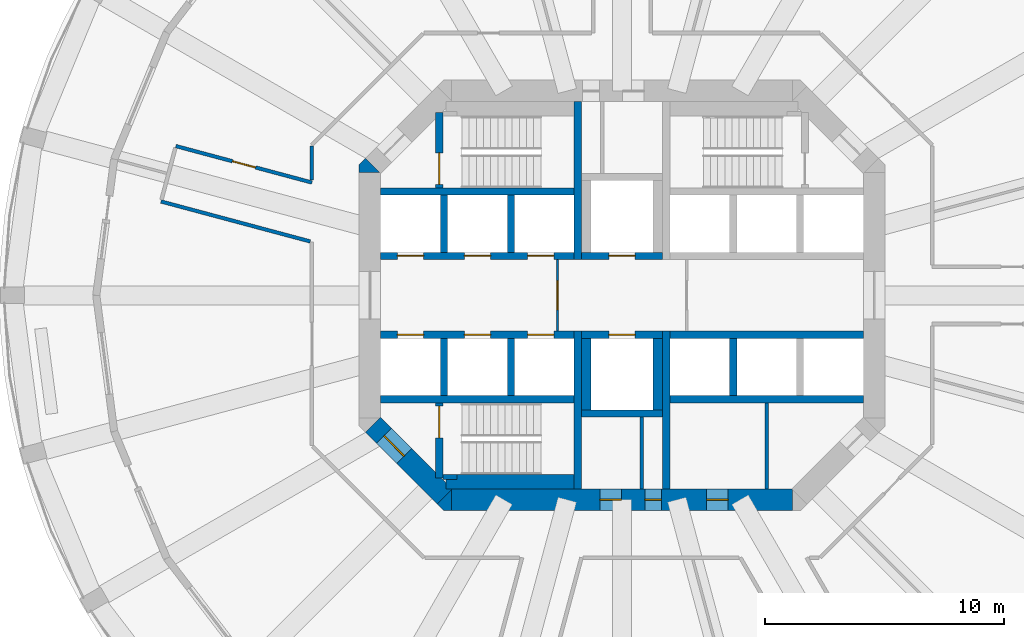
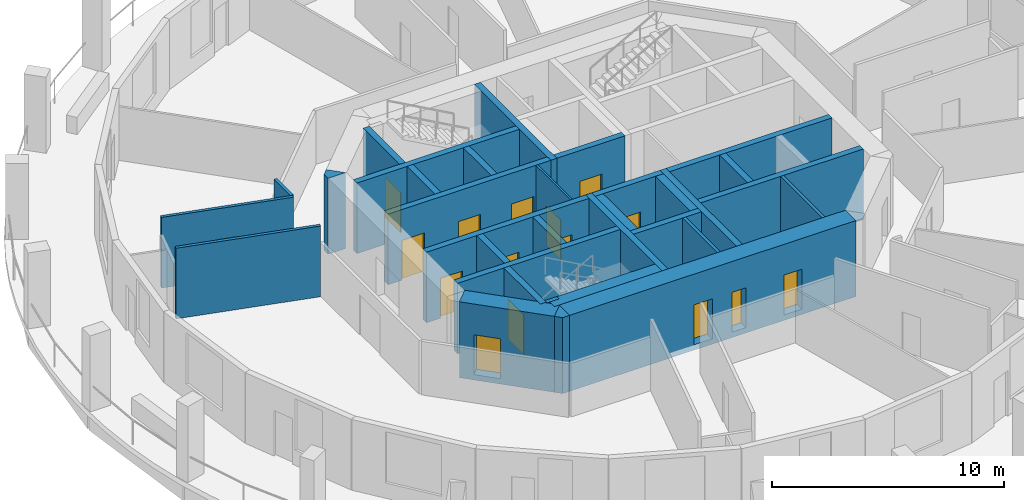
# One storey, part 3 of 8: 33 walls, 16 doors, 16 openings.
"""IFC4 building model written with IfcOpenShell, lengths in metres."""

from ifc_helpers import new_model, si_unit, direction, frame, frame_2d, origin, place, context, subcontext, project, spatial, polyline, rectangle, outline, extrude, material, layer, layer_set, type_object, element, fill, save


model = new_model("IFC4")

# Units and contexts
model_context = context("Model", 3, precision=1e-05, world=origin(), true_north=direction((0.0, 1.0)))
body_context = subcontext(model_context, "Body", "Model", "MODEL_VIEW")
ifc_project = project(units=[si_unit("LENGTHUNIT", "METRE"), si_unit("AREAUNIT", "SQUARE_METRE"), si_unit("VOLUMEUNIT", "CUBIC_METRE"), si_unit("PLANEANGLEUNIT", "RADIAN"), si_unit("MASSUNIT", "GRAM", prefix="KILO")], contexts=[model_context])

# Site, building, storey
site_placement = place(None, origin())
site = spatial("IfcSite", under=ifc_project, at=site_placement, CompositionType="ELEMENT")
building_placement = place(site_placement, origin())
building = spatial("IfcBuilding", under=site, at=building_placement, Name="Torre Triforio", CompositionType="ELEMENT")
storey_placement = place(building_placement, frame((0.0, 0.0, 86.60009765625)))
storey = spatial("IfcBuildingStorey", under=building, at=storey_placement, Name="L18", CompositionType="ELEMENT", Elevation=86.60009765625)

# Walls
ifc_material_1 = material(Name="Concrete C60", Category="concrete")
ifc_layer_1 = layer(ifc_material_1, 0.300048828125)
ifc_layer_set_1 = layer_set([ifc_layer_1], Name="Concrete C60")
wall_type_1 = type_object("IfcWallType", Name="Core wall 300 mm C60 EI 120", PredefinedType="SHEAR", material=ifc_layer_set_1)
for number, where, z_axis, x_axis, name in (
    (1, (-1.85009765625, 1.5, 0.0), (0.0, 0.0, 1.0), (0.0, 1.0, 0.0), "Core wall"),
    (2, (-1.85009765625, -8.10009765625, 0.0), (0.0, 0.0, 1.0), (0.0, 1.0, 0.0), "Core wall"),
    (3, (1.85009765625, -8.10009765625, 0.0), (0.0, 0.0, 1.0), (0.0, 1.0, 0.0), "Core wall"),
):
    element("IfcWall", number, at=place(storey_placement, frame(where, z_axis=z_axis, x_axis=x_axis)), inside=storey, type_object=wall_type_1, Name=name, PredefinedType="SHEAR", context=body_context, shape_type="SweptSolid", body=[
        extrude(rectangle(XDim=6.60009765625, YDim=0.300048828125, at=frame_2d((3.300048828125, 0.0))), origin(), (0.0, 0.0, 1.0), 3.719970703125),
    ])

# Wall, openings, doors
ifc_layer_2 = layer(ifc_material_1, 0.89990234375)
ifc_layer_set_2 = layer_set([ifc_layer_2], Name="Concrete C60")
wall_type_2 = type_object("IfcWallType", Name="Core wall 900 mm C60 EI 120", PredefinedType="SHEAR", material=ifc_layer_set_2)
wall_1_placement = place(storey_placement, frame((-7.1298828125, -8.550048828125, -0.280029296875), z_axis=(0.0, 0.0, 1.0), x_axis=(1.0, 0.0, 0.0)))
wall_1 = element("IfcWall", 4, at=wall_1_placement, inside=storey, type_object=wall_type_2, Name="Core wall", PredefinedType="SHEAR", context=body_context, shape_type="SweptSolid", body=[
    extrude(rectangle(XDim=14.259765625, YDim=0.89990234375, at=frame_2d((7.1298828125, 0.0))), origin(), (0.0, 0.0, 1.0), 4.0),
])
opening_1_placement = place(wall_1_placement, frame((8.080078125, 0.0, 0.280029296875)))
opening_1 = element("IfcOpeningElement", 5, at=opening_1_placement, cuts=wall_1, Name="Opening RISER-S", PredefinedType="OPENING", context=body_context, shape_type="SweptSolid", body=[
    extrude(rectangle(XDim=0.699951171875, YDim=2.10009765625, at=frame_2d((0.35009765625, 1.050048828125))), frame((0.0, 0.4599609375, 0.0), z_axis=(0.0, -1.0, 0.0), x_axis=(1.0, 0.0, 0.0)), (0.0, 0.0, 1.0), 0.919921875),
])
opening_2_placement = place(wall_1_placement, frame((6.205078125, 0.0, 0.280029296875)))
opening_2 = element("IfcOpeningElement", 6, at=opening_2_placement, cuts=wall_1, Name="Opening SW-01B", PredefinedType="OPENING", context=body_context, shape_type="SweptSolid", body=[
    extrude(rectangle(XDim=0.89990234375, YDim=2.10009765625, at=frame_2d((0.449951171875, 1.050048828125))), frame((0.0, 0.4599609375, 0.0), z_axis=(0.0, -1.0, 0.0), x_axis=(1.0, 0.0, 0.0)), (0.0, 0.0, 1.0), 0.919921875),
])
opening_3_placement = place(wall_1_placement, frame((10.66748046875, 0.0, 0.280029296875)))
opening_3 = element("IfcOpeningElement", 7, at=opening_3_placement, cuts=wall_1, Name="Opening SE-01A", PredefinedType="OPENING", context=body_context, shape_type="SweptSolid", body=[
    extrude(rectangle(XDim=0.89990234375, YDim=2.10009765625, at=frame_2d((0.449951171875, 1.050048828125))), frame((0.0, 0.4599609375, 0.0), z_axis=(0.0, -1.0, 0.0), x_axis=(1.0, 0.0, 0.0)), (0.0, 0.0, 1.0), 0.919921875),
])
ifc_material_2 = material(Name="Hollow metal fire door leaf")
door_type_1 = type_object("IfcDoorType", Name="Riser door 700 x 2100 EI 60", OperationType="NOTDEFINED", PredefinedType="DOOR", material=ifc_material_2)
door_1_placement = place(opening_1_placement, origin())
door_1 = element("IfcDoor", 8, at=door_1_placement, inside=storey, type_object=door_type_1, Name="Core door RISER-S", OperationType="SINGLE_SWING_RIGHT", OverallHeight=2.10009765625, OverallWidth=0.699951171875, PredefinedType="DOOR", context=body_context, shape_type="SweptSolid", body=[
    extrude(rectangle(XDim=0.699951171875, YDim=2.10009765625, at=frame_2d((0.35009765625, 1.050048828125))), frame((0.0, 0.02490234375, 0.0), z_axis=(0.0, -1.0, 0.0), x_axis=(1.0, 0.0, 0.0)), (0.0, 0.0, 1.0), 0.050048828125),
])
fill(opening_1, door_1)
door_type_2 = type_object("IfcDoorType", Name="Room door 900 x 2100 EI 60", OperationType="NOTDEFINED", PredefinedType="DOOR", material=ifc_material_2)
door_2_placement = place(opening_2_placement, origin())
door_2 = element("IfcDoor", 9, at=door_2_placement, inside=storey, type_object=door_type_2, Name="Core door SW-01", OperationType="SINGLE_SWING_LEFT", OverallHeight=2.10009765625, OverallWidth=0.89990234375, PredefinedType="DOOR", context=body_context, shape_type="SweptSolid", body=[
    extrude(rectangle(XDim=0.89990234375, YDim=2.10009765625, at=frame_2d((0.449951171875, 1.050048828125))), frame((0.0, 0.02490234375, 0.0), z_axis=(0.0, -1.0, 0.0), x_axis=(1.0, 0.0, 0.0)), (0.0, 0.0, 1.0), 0.050048828125),
])
fill(opening_2, door_2)
door_3_placement = place(opening_3_placement, origin())
door_3 = element("IfcDoor", 10, at=door_3_placement, inside=storey, type_object=door_type_2, Name="Core door SE-01", OperationType="SINGLE_SWING_LEFT", OverallHeight=2.10009765625, OverallWidth=0.89990234375, PredefinedType="DOOR", context=body_context, shape_type="SweptSolid", body=[
    extrude(rectangle(XDim=0.89990234375, YDim=2.10009765625, at=frame_2d((0.449951171875, 1.050048828125))), frame((0.0, 0.02490234375, 0.0), z_axis=(0.0, -1.0, 0.0), x_axis=(1.0, 0.0, 0.0)), (0.0, 0.0, 1.0), 0.050048828125),
])
fill(opening_3, door_3)

# Wall, opening, door
wall_2_placement = place(storey_placement, frame((-7.418212890625, -8.418212890625, -0.280029296875), z_axis=(0.0, 0.0, 1.0), x_axis=(-0.707106781187, 0.707106781187, 0.0)))
wall_2 = element("IfcWall", 11, at=wall_2_placement, inside=storey, type_object=wall_type_2, Name="Core wall", PredefinedType="SHEAR", context=body_context, shape_type="SweptSolid", body=[
    extrude(rectangle(XDim=4.24267578125, YDim=0.89990234375, at=frame_2d((2.121337890625, 0.0))), origin(), (0.0, 0.0, 1.0), 4.0),
])
opening_4_placement = place(wall_2_placement, frame((2.392578125, 0.0, 0.280029296875)))
opening_4 = element("IfcOpeningElement", 12, at=opening_4_placement, cuts=wall_2, Name="Opening ST3-EXIT", PredefinedType="OPENING", context=body_context, shape_type="SweptSolid", body=[
    extrude(rectangle(XDim=1.199951171875, YDim=2.10009765625, at=frame_2d((0.60009765625, 1.050048828125))), frame((0.0, 0.4599609375, 0.0), z_axis=(0.0, -1.0, 0.0), x_axis=(1.0, 0.0, 0.0)), (0.0, 0.0, 1.0), 0.919921875),
])
door_type_3 = type_object("IfcDoorType", Name="Stair lobby door 1200 x 2100 EI 60", OperationType="NOTDEFINED", PredefinedType="DOOR", material=ifc_material_2)
door_4_placement = place(opening_4_placement, origin())
door_4 = element("IfcDoor", 13, at=door_4_placement, inside=storey, type_object=door_type_3, Name="Core door ST3-EXIT", OperationType="SINGLE_SWING_RIGHT", OverallHeight=2.10009765625, OverallWidth=1.199951171875, PredefinedType="DOOR", context=body_context, shape_type="SweptSolid", body=[
    extrude(rectangle(XDim=1.199951171875, YDim=2.10009765625, at=frame_2d((0.60009765625, 1.050048828125))), frame((0.0, 0.02490234375, 0.0), z_axis=(0.0, -1.0, 0.0), x_axis=(1.0, 0.0, 0.0)), (0.0, 0.0, 1.0), 0.050048828125),
])
fill(opening_4, door_4)

# Walls
wall_3_placement = place(storey_placement, frame((0.0, 0.0, -0.280029296875)))
element("IfcWall", 14, at=wall_3_placement, inside=storey, type_object=wall_type_2, Name="Core wall", PredefinedType="SHEAR", context=body_context, shape_type="SweptSolid", body=[
    extrude(outline(polyline([(-7.472900390625, -9.0), (-7.736328125, -8.736328125), (-7.1298828125, -8.1298828125), (-7.1298828125, -9.0), (-7.472900390625, -9.0)])), origin(), (0.0, 0.0, 1.0), 4.0),
])
wall_4_placement = place(storey_placement, frame((0.0, 0.0, -0.280029296875)))
element("IfcWall", 15, at=wall_4_placement, inside=storey, type_object=wall_type_2, Name="Core wall", PredefinedType="SHEAR", context=body_context, shape_type="SweptSolid", body=[
    extrude(outline(polyline([(-10.736328125, 5.736328125), (-10.1298828125, 5.1298828125), (-11.0, 5.1298828125), (-11.0, 5.472900390625), (-10.736328125, 5.736328125)])), origin(), (0.0, 0.0, 1.0), 4.0),
])
ifc_material_3 = material(Name="Plasterboard on metal studs")
ifc_layer_3 = layer(ifc_material_3, 0.14990234375)
ifc_layer_set_3 = layer_set([ifc_layer_3], Name="Plasterboard on metal studs")
wall_type_3 = type_object("IfcWallType", Name="Corridor and tenancy wall 150 mm EI 60", PredefinedType="PARTITIONING", material=ifc_layer_set_3)
wall_5_placement = place(storey_placement, frame((-13.044921875, 2.253173828125, 0.0), z_axis=(0.0, 0.0, 1.0), x_axis=(-0.965934061797, 0.258788307811, 0.0)))
element("IfcWall", 16, at=wall_5_placement, inside=storey, type_object=wall_type_3, Name="Partition 15", PredefinedType="PARTITIONING", context=body_context, shape_type="SweptSolid", body=[
    extrude(rectangle(XDim=6.465087890625, YDim=0.14990234375, at=frame_2d((3.232421875, 0.0))), origin(), (0.0, 0.0, 1.0), 3.719970703125),
])

# Wall, opening, door
wall_6_placement = place(storey_placement, frame((-18.668701171875, 6.24462890625, 0.0), z_axis=(0.0, 0.0, 1.0), x_axis=(0.965924201797, -0.258825107715, 0.0)))
wall_6 = element("IfcWall", 17, at=wall_6_placement, inside=storey, type_object=wall_type_3, Name="Partition 17", PredefinedType="PARTITIONING", context=body_context, shape_type="SweptSolid", body=[
    extrude(rectangle(XDim=5.89453125, YDim=0.14990234375, at=frame_2d((2.947265625, 0.0))), origin(), (0.0, 0.0, 1.0), 3.719970703125),
])
opening_5_placement = place(wall_6_placement, frame((2.447265625, 0.0, 0.0)))
opening_5 = element("IfcOpeningElement", 18, at=opening_5_placement, cuts=wall_6, Name="Opening N6-05", PredefinedType="OPENING", context=body_context, shape_type="SweptSolid", body=[
    extrude(rectangle(XDim=1.0, YDim=2.10009765625, at=frame_2d((0.5, 1.050048828125))), frame((0.0, 0.0849609375, 0.0), z_axis=(0.0, -1.0, 0.0), x_axis=(1.0, 0.0, 0.0)), (0.0, 0.0, 1.0), 0.169921875),
])
ifc_material_4 = material(Name="Timber", Category="wood")
door_type_4 = type_object("IfcDoorType", Name="Door 1000 x 2100 single leaf EI 30", OperationType="NOTDEFINED", PredefinedType="DOOR", material=ifc_material_4)
door_5_placement = place(opening_5_placement, origin())
door_5 = element("IfcDoor", 19, at=door_5_placement, inside=storey, type_object=door_type_4, Name="Door N6-05", OperationType="SINGLE_SWING_RIGHT", OverallHeight=2.10009765625, OverallWidth=1.0, PredefinedType="DOOR", context=body_context, shape_type="SweptSolid", body=[
    extrude(rectangle(XDim=1.0, YDim=2.10009765625, at=frame_2d((0.5, 1.050048828125))), frame((0.0, 0.02490234375, 0.0), z_axis=(0.0, -1.0, 0.0), x_axis=(1.0, 0.0, 0.0)), (0.0, 0.0, 1.0), 0.050048828125),
])
fill(opening_5, door_5)

# Wall
wall_7_placement = place(storey_placement, frame((-12.97509765625, 4.81640625, 0.0), z_axis=(0.0, 0.0, 1.0), x_axis=(0.0, 1.0, 0.0)))
element("IfcWall", 20, at=wall_7_placement, inside=storey, type_object=wall_type_3, Name="Partition 18", PredefinedType="PARTITIONING", context=body_context, shape_type="SweptSolid", body=[
    extrude(rectangle(XDim=1.421875, YDim=0.14990234375, at=frame_2d((0.7109375, 0.0))), origin(), (0.0, 0.0, 1.0), 3.719970703125),
])

# Wall, opening, door
ifc_material_5 = material(Name="Block and board partition")
ifc_layer_4 = layer(ifc_material_5, 0.10009765625)
ifc_layer_set_4 = layer_set([ifc_layer_4], Name="Block and board partition")
wall_type_4 = type_object("IfcWallType", Name="Partition 100 mm EI 120", PredefinedType="PARTITIONING", material=ifc_layer_set_4)
wall_8_placement = place(storey_placement, frame((-2.699951171875, -1.5, 0.0), z_axis=(0.0, 0.0, 1.0), x_axis=(0.0, 1.0, 0.0)))
wall_8 = element("IfcWall", 21, at=wall_8_placement, inside=storey, type_object=wall_type_4, Name="Partition", PredefinedType="PARTITIONING", context=body_context, shape_type="SweptSolid", body=[
    extrude(rectangle(XDim=3.0, YDim=0.10009765625, at=frame_2d((1.5, 0.0))), origin(), (0.0, 0.0, 1.0), 3.719970703125),
])
opening_6_placement = place(wall_8_placement, frame((0.89990234375, 0.0, 0.0)))
opening_6 = element("IfcOpeningElement", 22, at=opening_6_placement, cuts=wall_8, Name="Opening FF-W", PredefinedType="OPENING", context=body_context, shape_type="SweptSolid", body=[
    extrude(rectangle(XDim=1.199951171875, YDim=2.10009765625, at=frame_2d((0.60009765625, 1.050048828125))), frame((0.0, 0.06005859375, 0.0), z_axis=(0.0, -1.0, 0.0), x_axis=(1.0, 0.0, 0.0)), (0.0, 0.0, 1.0), 0.1201171875),
])
door_type_5 = type_object("IfcDoorType", Name="Fire-fighting lobby door 1200 x 2100 EI 60", OperationType="NOTDEFINED", PredefinedType="DOOR", material=ifc_material_2)
door_6_placement = place(opening_6_placement, origin())
door_6 = element("IfcDoor", 23, at=door_6_placement, inside=storey, type_object=door_type_5, Name="Core door FF-W", OperationType="SINGLE_SWING_LEFT", OverallHeight=2.10009765625, OverallWidth=1.199951171875, PredefinedType="DOOR", context=body_context, shape_type="SweptSolid", body=[
    extrude(rectangle(XDim=1.199951171875, YDim=2.10009765625, at=frame_2d((0.60009765625, 1.050048828125))), frame((0.0, 0.02490234375, 0.0), z_axis=(0.0, -1.0, 0.0), x_axis=(1.0, 0.0, 0.0)), (0.0, 0.0, 1.0), 0.050048828125),
])
fill(opening_6, door_6)

# Walls
ifc_layer_5 = layer(ifc_material_5, 0.14990234375)
ifc_layer_set_5 = layer_set([ifc_layer_5], Name="Block and board partition")
wall_type_5 = type_object("IfcWallType", Name="Partition 150 mm", PredefinedType="PARTITIONING", material=ifc_layer_set_5)
wall_9_placement = place(storey_placement, frame((6.050048828125, -8.10009765625, 0.0), z_axis=(0.0, 0.0, 1.0), x_axis=(0.0, 1.0, 0.0)))
element("IfcWall", 24, at=wall_9_placement, inside=storey, type_object=wall_type_5, Name="Partition", PredefinedType="PARTITIONING", context=body_context, shape_type="SweptSolid", body=[
    extrude(rectangle(XDim=3.60009765625, YDim=0.14990234375, at=frame_2d((1.800048828125, 0.0))), origin(), (0.0, 0.0, 1.0), 3.719970703125),
])
ifc_layer_6 = layer(ifc_material_5, 0.14990234375)
ifc_layer_set_6 = layer_set([ifc_layer_6], Name="Block and board partition")
wall_type_6 = type_object("IfcWallType", Name="Partition 150 mm EI 120", PredefinedType="PARTITIONING", material=ifc_layer_set_6)
wall_10_placement = place(storey_placement, frame((0.824951171875, -8.10009765625, 0.0), z_axis=(0.0, 0.0, 1.0), x_axis=(0.0, 1.0, 0.0)))
element("IfcWall", 25, at=wall_10_placement, inside=storey, type_object=wall_type_6, Name="Partition", PredefinedType="PARTITIONING", context=body_context, shape_type="SweptSolid", body=[
    extrude(rectangle(XDim=3.0, YDim=0.14990234375, at=frame_2d((1.5, 0.0))), origin(), (0.0, 0.0, 1.0), 3.719970703125),
])
ifc_layer_7 = layer(ifc_material_1, 0.300048828125)
ifc_layer_set_7 = layer_set([ifc_layer_7], Name="Concrete C60")
wall_type_7 = type_object("IfcWallType", Name="Shaft wall 300 mm C60 EI 120", PredefinedType="SOLIDWALL", material=ifc_layer_set_7)
for number, where, z_axis, x_axis, name in (
    (26, (-10.10009765625, 4.35009765625, 0.0), (0.0, 0.0, 1.0), (1.0, 0.0, 0.0), "Shaft wall"),
    (27, (-10.10009765625, -4.35009765625, 0.0), (0.0, 0.0, 1.0), (1.0, 0.0, 0.0), "Shaft wall"),
    (28, (2.0, -4.35009765625, 0.0), (0.0, 0.0, 1.0), (1.0, 0.0, 0.0), "Shaft wall"),
):
    element("IfcWall", number, at=place(storey_placement, frame(where, z_axis=z_axis, x_axis=x_axis)), inside=storey, type_object=wall_type_7, Name=name, PredefinedType="SOLIDWALL", context=body_context, shape_type="SweptSolid", body=[
        extrude(rectangle(XDim=8.10009765625, YDim=0.300048828125, at=frame_2d((4.050048828125, 0.0))), origin(), (0.0, 0.0, 1.0), 3.719970703125),
    ])

# Wall, openings, doors
wall_11_placement = place(storey_placement, frame((-10.10009765625, 1.64990234375, 0.0), z_axis=(0.0, 0.0, 1.0), x_axis=(1.0, 0.0, 0.0)))
wall_11 = element("IfcWall", 29, at=wall_11_placement, inside=storey, type_object=wall_type_7, Name="Shaft wall", PredefinedType="SOLIDWALL", context=body_context, shape_type="SweptSolid", body=[
    extrude(rectangle(XDim=8.10009765625, YDim=0.300048828125, at=frame_2d((4.050048828125, 0.0))), origin(), (0.0, 0.0, 1.0), 3.719970703125),
])
opening_7_placement = place(wall_11_placement, frame((0.699951171875, 0.0, 0.0)))
opening_7 = element("IfcOpeningElement", 30, at=opening_7_placement, cuts=wall_11, Name="Opening LD", PredefinedType="OPENING", context=body_context, shape_type="SweptSolid", body=[
    extrude(rectangle(XDim=1.10009765625, YDim=2.10009765625, at=frame_2d((0.550048828125, 1.050048828125))), frame((0.0, 0.159912109375, 0.0), z_axis=(0.0, -1.0, 0.0), x_axis=(1.0, 0.0, 0.0)), (0.0, 0.0, 1.0), 0.320068359375),
])
opening_8_placement = place(wall_11_placement, frame((3.5, 0.0, 0.0)))
opening_8 = element("IfcOpeningElement", 31, at=opening_8_placement, cuts=wall_11, Name="Opening LD", PredefinedType="OPENING", context=body_context, shape_type="SweptSolid", body=[
    extrude(rectangle(XDim=1.10009765625, YDim=2.10009765625, at=frame_2d((0.550048828125, 1.050048828125))), frame((0.0, 0.159912109375, 0.0), z_axis=(0.0, -1.0, 0.0), x_axis=(1.0, 0.0, 0.0)), (0.0, 0.0, 1.0), 0.320068359375),
])
opening_9_placement = place(wall_11_placement, frame((6.14990234375, 0.0, 0.0)))
opening_9 = element("IfcOpeningElement", 32, at=opening_9_placement, cuts=wall_11, Name="Opening LD", PredefinedType="OPENING", context=body_context, shape_type="SweptSolid", body=[
    extrude(rectangle(XDim=1.10009765625, YDim=2.10009765625, at=frame_2d((0.550048828125, 1.050048828125))), frame((0.0, 0.159912109375, 0.0), z_axis=(0.0, -1.0, 0.0), x_axis=(1.0, 0.0, 0.0)), (0.0, 0.0, 1.0), 0.320068359375),
])
door_type_6 = type_object("IfcDoorType", Name="Landing door 1100 x 2100 EI 60", OperationType="DOUBLE_DOOR_SLIDING", PredefinedType="DOOR", material=ifc_material_2)
door_7_placement = place(opening_7_placement, origin())
door_7 = element("IfcDoor", 33, at=door_7_placement, inside=storey, type_object=door_type_6, Name="Landing door LR1", OperationType="DOUBLE_DOOR_SLIDING", OverallHeight=2.10009765625, OverallWidth=1.10009765625, PredefinedType="DOOR", context=body_context, shape_type="SweptSolid", body=[
    extrude(rectangle(XDim=1.10009765625, YDim=2.10009765625, at=frame_2d((0.550048828125, 1.050048828125))), frame((0.0, 0.02490234375, 0.0), z_axis=(0.0, -1.0, 0.0), x_axis=(1.0, 0.0, 0.0)), (0.0, 0.0, 1.0), 0.050048828125),
])
fill(opening_7, door_7)
door_8_placement = place(opening_8_placement, origin())
door_8 = element("IfcDoor", 34, at=door_8_placement, inside=storey, type_object=door_type_6, Name="Landing door LR2", OperationType="DOUBLE_DOOR_SLIDING", OverallHeight=2.10009765625, OverallWidth=1.10009765625, PredefinedType="DOOR", context=body_context, shape_type="SweptSolid", body=[
    extrude(rectangle(XDim=1.10009765625, YDim=2.10009765625, at=frame_2d((0.550048828125, 1.050048828125))), frame((0.0, 0.02490234375, 0.0), z_axis=(0.0, -1.0, 0.0), x_axis=(1.0, 0.0, 0.0)), (0.0, 0.0, 1.0), 0.050048828125),
])
fill(opening_8, door_8)
door_9_placement = place(opening_9_placement, origin())
door_9 = element("IfcDoor", 35, at=door_9_placement, inside=storey, type_object=door_type_6, Name="Landing door LR3", OperationType="DOUBLE_DOOR_SLIDING", OverallHeight=2.10009765625, OverallWidth=1.10009765625, PredefinedType="DOOR", context=body_context, shape_type="SweptSolid", body=[
    extrude(rectangle(XDim=1.10009765625, YDim=2.10009765625, at=frame_2d((0.550048828125, 1.050048828125))), frame((0.0, 0.02490234375, 0.0), z_axis=(0.0, -1.0, 0.0), x_axis=(1.0, 0.0, 0.0)), (0.0, 0.0, 1.0), 0.050048828125),
])
fill(opening_9, door_9)

wall_12_placement = place(storey_placement, frame((-10.10009765625, -1.64990234375, 0.0), z_axis=(0.0, 0.0, 1.0), x_axis=(1.0, 0.0, 0.0)))
wall_12 = element("IfcWall", 36, at=wall_12_placement, inside=storey, type_object=wall_type_7, Name="Shaft wall", PredefinedType="SOLIDWALL", context=body_context, shape_type="SweptSolid", body=[
    extrude(rectangle(XDim=8.10009765625, YDim=0.300048828125, at=frame_2d((4.050048828125, 0.0))), origin(), (0.0, 0.0, 1.0), 3.719970703125),
])
opening_10_placement = place(wall_12_placement, frame((0.699951171875, 0.0, 0.0)))
opening_10 = element("IfcOpeningElement", 37, at=opening_10_placement, cuts=wall_12, Name="Opening LD", PredefinedType="OPENING", context=body_context, shape_type="SweptSolid", body=[
    extrude(rectangle(XDim=1.10009765625, YDim=2.10009765625, at=frame_2d((0.550048828125, 1.050048828125))), frame((0.0, 0.159912109375, 0.0), z_axis=(0.0, -1.0, 0.0), x_axis=(1.0, 0.0, 0.0)), (0.0, 0.0, 1.0), 0.320068359375),
])
opening_11_placement = place(wall_12_placement, frame((3.5, 0.0, 0.0)))
opening_11 = element("IfcOpeningElement", 38, at=opening_11_placement, cuts=wall_12, Name="Opening LD", PredefinedType="OPENING", context=body_context, shape_type="SweptSolid", body=[
    extrude(rectangle(XDim=1.10009765625, YDim=2.10009765625, at=frame_2d((0.550048828125, 1.050048828125))), frame((0.0, 0.159912109375, 0.0), z_axis=(0.0, -1.0, 0.0), x_axis=(1.0, 0.0, 0.0)), (0.0, 0.0, 1.0), 0.320068359375),
])
opening_12_placement = place(wall_12_placement, frame((6.14990234375, 0.0, 0.0)))
opening_12 = element("IfcOpeningElement", 39, at=opening_12_placement, cuts=wall_12, Name="Opening LD", PredefinedType="OPENING", context=body_context, shape_type="SweptSolid", body=[
    extrude(rectangle(XDim=1.10009765625, YDim=2.10009765625, at=frame_2d((0.550048828125, 1.050048828125))), frame((0.0, 0.159912109375, 0.0), z_axis=(0.0, -1.0, 0.0), x_axis=(1.0, 0.0, 0.0)), (0.0, 0.0, 1.0), 0.320068359375),
])
door_10_placement = place(opening_10_placement, origin())
door_10 = element("IfcDoor", 40, at=door_10_placement, inside=storey, type_object=door_type_6, Name="Landing door LR4", OperationType="DOUBLE_DOOR_SLIDING", OverallHeight=2.10009765625, OverallWidth=1.10009765625, PredefinedType="DOOR", context=body_context, shape_type="SweptSolid", body=[
    extrude(rectangle(XDim=1.10009765625, YDim=2.10009765625, at=frame_2d((0.550048828125, 1.050048828125))), frame((0.0, 0.02490234375, 0.0), z_axis=(0.0, -1.0, 0.0), x_axis=(1.0, 0.0, 0.0)), (0.0, 0.0, 1.0), 0.050048828125),
])
fill(opening_10, door_10)
door_11_placement = place(opening_11_placement, origin())
door_11 = element("IfcDoor", 41, at=door_11_placement, inside=storey, type_object=door_type_6, Name="Landing door LR5", OperationType="DOUBLE_DOOR_SLIDING", OverallHeight=2.10009765625, OverallWidth=1.10009765625, PredefinedType="DOOR", context=body_context, shape_type="SweptSolid", body=[
    extrude(rectangle(XDim=1.10009765625, YDim=2.10009765625, at=frame_2d((0.550048828125, 1.050048828125))), frame((0.0, 0.02490234375, 0.0), z_axis=(0.0, -1.0, 0.0), x_axis=(1.0, 0.0, 0.0)), (0.0, 0.0, 1.0), 0.050048828125),
])
fill(opening_11, door_11)
door_12_placement = place(opening_12_placement, origin())
door_12 = element("IfcDoor", 42, at=door_12_placement, inside=storey, type_object=door_type_6, Name="Landing door LR6", OperationType="DOUBLE_DOOR_SLIDING", OverallHeight=2.10009765625, OverallWidth=1.10009765625, PredefinedType="DOOR", context=body_context, shape_type="SweptSolid", body=[
    extrude(rectangle(XDim=1.10009765625, YDim=2.10009765625, at=frame_2d((0.550048828125, 1.050048828125))), frame((0.0, 0.02490234375, 0.0), z_axis=(0.0, -1.0, 0.0), x_axis=(1.0, 0.0, 0.0)), (0.0, 0.0, 1.0), 0.050048828125),
])
fill(opening_12, door_12)

# Walls
wall_13_placement = place(storey_placement, frame((2.0, -1.64990234375, 0.0), z_axis=(0.0, 0.0, 1.0), x_axis=(1.0, 0.0, 0.0)))
element("IfcWall", 43, at=wall_13_placement, inside=storey, type_object=wall_type_7, Name="Shaft wall", PredefinedType="SOLIDWALL", context=body_context, shape_type="SweptSolid", body=[
    extrude(rectangle(XDim=8.10009765625, YDim=0.300048828125, at=frame_2d((4.050048828125, 0.0))), origin(), (0.0, 0.0, 1.0), 3.719970703125),
])
for number, where, z_axis, x_axis, name in (
    (44, (-7.449951171875, 1.800048828125, 0.0), (0.0, 0.0, 1.0), (0.0, 1.0, 0.0), "Shaft wall"),
    (45, (-7.449951171875, -4.199951171875, 0.0), (0.0, 0.0, 1.0), (0.0, 1.0, 0.0), "Shaft wall"),
    (46, (-4.64990234375, 1.800048828125, 0.0), (0.0, 0.0, 1.0), (0.0, 1.0, 0.0), "Shaft wall"),
    (47, (-4.64990234375, -4.199951171875, 0.0), (0.0, 0.0, 1.0), (0.0, 1.0, 0.0), "Shaft wall"),
    (48, (4.64990234375, -4.199951171875, 0.0), (0.0, 0.0, 1.0), (0.0, 1.0, 0.0), "Shaft wall"),
):
    element("IfcWall", number, at=place(storey_placement, frame(where, z_axis=z_axis, x_axis=x_axis)), inside=storey, type_object=wall_type_7, Name=name, PredefinedType="SOLIDWALL", context=body_context, shape_type="SweptSolid", body=[
        extrude(rectangle(XDim=2.39990234375, YDim=0.300048828125, at=frame_2d((1.199951171875, 0.0))), origin(), (0.0, 0.0, 1.0), 3.719970703125),
    ])

# Wall, opening, door
wall_14_placement = place(storey_placement, frame((-1.699951171875, 1.64990234375, 0.0), z_axis=(0.0, 0.0, 1.0), x_axis=(1.0, 0.0, 0.0)))
wall_14 = element("IfcWall", 49, at=wall_14_placement, inside=storey, type_object=wall_type_7, Name="Shaft wall", PredefinedType="SOLIDWALL", context=body_context, shape_type="SweptSolid", body=[
    extrude(rectangle(XDim=3.39990234375, YDim=0.300048828125, at=frame_2d((1.699951171875, 0.0))), origin(), (0.0, 0.0, 1.0), 3.719970703125),
])
opening_13_placement = place(wall_14_placement, frame((1.14990234375, 0.0, 0.0)))
opening_13 = element("IfcOpeningElement", 50, at=opening_13_placement, cuts=wall_14, Name="Opening LD", PredefinedType="OPENING", context=body_context, shape_type="SweptSolid", body=[
    extrude(rectangle(XDim=1.10009765625, YDim=2.10009765625, at=frame_2d((0.550048828125, 1.050048828125))), frame((0.0, 0.159912109375, 0.0), z_axis=(0.0, -1.0, 0.0), x_axis=(1.0, 0.0, 0.0)), (0.0, 0.0, 1.0), 0.320068359375),
])
door_13_placement = place(opening_13_placement, origin())
door_13 = element("IfcDoor", 51, at=door_13_placement, inside=storey, type_object=door_type_6, Name="Landing door FFL1", OperationType="DOUBLE_DOOR_SLIDING", OverallHeight=2.10009765625, OverallWidth=1.10009765625, PredefinedType="DOOR", context=body_context, shape_type="SweptSolid", body=[
    extrude(rectangle(XDim=1.10009765625, YDim=2.10009765625, at=frame_2d((0.550048828125, 1.050048828125))), frame((0.0, 0.02490234375, 0.0), z_axis=(0.0, -1.0, 0.0), x_axis=(1.0, 0.0, 0.0)), (0.0, 0.0, 1.0), 0.050048828125),
])
fill(opening_13, door_13)

wall_15_placement = place(storey_placement, frame((-1.699951171875, -1.64990234375, 0.0), z_axis=(0.0, 0.0, 1.0), x_axis=(1.0, 0.0, 0.0)))
wall_15 = element("IfcWall", 52, at=wall_15_placement, inside=storey, type_object=wall_type_7, Name="Shaft wall", PredefinedType="SOLIDWALL", context=body_context, shape_type="SweptSolid", body=[
    extrude(rectangle(XDim=3.39990234375, YDim=0.300048828125, at=frame_2d((1.699951171875, 0.0))), origin(), (0.0, 0.0, 1.0), 3.719970703125),
])
opening_14_placement = place(wall_15_placement, frame((1.14990234375, 0.0, 0.0)))
opening_14 = element("IfcOpeningElement", 53, at=opening_14_placement, cuts=wall_15, Name="Opening LD", PredefinedType="OPENING", context=body_context, shape_type="SweptSolid", body=[
    extrude(rectangle(XDim=1.10009765625, YDim=2.10009765625, at=frame_2d((0.550048828125, 1.050048828125))), frame((0.0, 0.159912109375, 0.0), z_axis=(0.0, -1.0, 0.0), x_axis=(1.0, 0.0, 0.0)), (0.0, 0.0, 1.0), 0.320068359375),
])
door_14_placement = place(opening_14_placement, origin())
door_14 = element("IfcDoor", 54, at=door_14_placement, inside=storey, type_object=door_type_6, Name="Landing door FFL2", OperationType="DOUBLE_DOOR_SLIDING", OverallHeight=2.10009765625, OverallWidth=1.10009765625, PredefinedType="DOOR", context=body_context, shape_type="SweptSolid", body=[
    extrude(rectangle(XDim=1.10009765625, YDim=2.10009765625, at=frame_2d((0.550048828125, 1.050048828125))), frame((0.0, 0.02490234375, 0.0), z_axis=(0.0, -1.0, 0.0), x_axis=(1.0, 0.0, 0.0)), (0.0, 0.0, 1.0), 0.050048828125),
])
fill(opening_14, door_14)

# Walls
wall_16_placement = place(storey_placement, frame((-1.699951171875, -4.949951171875, 0.0), z_axis=(0.0, 0.0, 1.0), x_axis=(1.0, 0.0, 0.0)))
element("IfcWall", 55, at=wall_16_placement, inside=storey, type_object=wall_type_7, Name="Shaft wall", PredefinedType="SOLIDWALL", context=body_context, shape_type="SweptSolid", body=[
    extrude(rectangle(XDim=3.39990234375, YDim=0.300048828125, at=frame_2d((1.699951171875, 0.0))), origin(), (0.0, 0.0, 1.0), 3.719970703125),
])
ifc_layer_8 = layer(ifc_material_1, 0.39990234375)
ifc_layer_set_8 = layer_set([ifc_layer_8], Name="Concrete C60")
wall_type_8 = type_object("IfcWallType", Name="Shaft wall 400 mm C60 EI 120", PredefinedType="SOLIDWALL", material=ifc_layer_set_8)
for number, where, z_axis, x_axis, name in (
    (56, (-1.5, -4.800048828125, 0.0), (0.0, 0.0, 1.0), (0.0, 1.0, 0.0), "Shaft wall"),
    (57, (1.5, -4.800048828125, 0.0), (0.0, 0.0, 1.0), (0.0, 1.0, 0.0), "Shaft wall"),
):
    element("IfcWall", number, at=place(storey_placement, frame(where, z_axis=z_axis, x_axis=x_axis)), inside=storey, type_object=wall_type_8, Name=name, PredefinedType="SOLIDWALL", context=body_context, shape_type="SweptSolid", body=[
        extrude(rectangle(XDim=3.0, YDim=0.39990234375, at=frame_2d((1.5, 0.0))), origin(), (0.0, 0.0, 1.0), 3.719970703125),
    ])
ifc_layer_9 = layer(ifc_material_1, 0.199951171875)
ifc_layer_set_9 = layer_set([ifc_layer_9], Name="Concrete C60")
wall_type_9 = type_object("IfcWallType", Name="Stair wall 200 mm C60 EI 120", PredefinedType="SHEAR", material=ifc_layer_set_9)
wall_17_placement = place(storey_placement, frame((-7.5, -7.60009765625, 0.0), z_axis=(0.0, 0.0, 1.0), x_axis=(1.0, 0.0, 0.0)))
element("IfcWall", 58, at=wall_17_placement, inside=storey, type_object=wall_type_9, Name="Stair wall", PredefinedType="SHEAR", context=body_context, shape_type="SweptSolid", body=[
    extrude(rectangle(XDim=0.60009765625, YDim=0.199951171875, at=frame_2d((0.300048828125, 0.0))), origin(), (0.0, 0.0, 1.0), 3.719970703125),
])

# Wall, opening, door
ifc_layer_10 = layer(ifc_material_1, 0.300048828125)
ifc_layer_set_10 = layer_set([ifc_layer_10], Name="Concrete C60")
wall_type_10 = type_object("IfcWallType", Name="Stair wall 300 mm C60 EI 120", PredefinedType="SHEAR", material=ifc_layer_set_10)
wall_18_placement = place(storey_placement, frame((-7.64990234375, 4.5, 0.0), z_axis=(0.0, 0.0, 1.0), x_axis=(0.0, 1.0, 0.0)))
wall_18 = element("IfcWall", 59, at=wall_18_placement, inside=storey, type_object=wall_type_10, Name="Stair wall", PredefinedType="SHEAR", context=body_context, shape_type="SweptSolid", body=[
    extrude(rectangle(XDim=3.139892578125, YDim=0.300048828125, at=frame_2d((1.56982421875, 0.0))), origin(), (0.0, 0.0, 1.0), 3.719970703125),
])
opening_15_placement = place(wall_18_placement, frame((0.139892578125, 0.0, 0.0)))
opening_15 = element("IfcOpeningElement", 60, at=opening_15_placement, cuts=wall_18, Name="Opening ST1-STA", PredefinedType="OPENING", context=body_context, shape_type="SweptSolid", body=[
    extrude(rectangle(XDim=1.320068359375, YDim=2.10009765625, at=frame_2d((0.66015625, 1.050048828125))), frame((0.0, 0.159912109375, 0.0), z_axis=(0.0, -1.0, 0.0), x_axis=(1.0, 0.0, 0.0)), (0.0, 0.0, 1.0), 0.320068359375),
])
door_type_7 = type_object("IfcDoorType", Name="Stair door 1320 x 2100 EI 90", OperationType="DOUBLE_DOOR_SINGLE_SWING", PredefinedType="DOOR", material=ifc_material_2)
door_15_placement = place(opening_15_placement, origin())
door_15 = element("IfcDoor", 61, at=door_15_placement, inside=storey, type_object=door_type_7, Name="Core door ST1-ST", OperationType="DOUBLE_DOOR_SINGLE_SWING", OverallHeight=2.10009765625, OverallWidth=1.320068359375, PredefinedType="DOOR", context=body_context, shape_type="SweptSolid", body=[
    extrude(rectangle(XDim=1.320068359375, YDim=2.10009765625, at=frame_2d((0.66015625, 1.050048828125))), frame((0.0, 0.02490234375, 0.0), z_axis=(0.0, -1.0, 0.0), x_axis=(1.0, 0.0, 0.0)), (0.0, 0.0, 1.0), 0.050048828125),
])
fill(opening_15, door_15)

wall_19_placement = place(storey_placement, frame((-7.64990234375, -7.639892578125, 0.0), z_axis=(0.0, 0.0, 1.0), x_axis=(0.0, 1.0, 0.0)))
wall_19 = element("IfcWall", 62, at=wall_19_placement, inside=storey, type_object=wall_type_10, Name="Stair wall", PredefinedType="SHEAR", context=body_context, shape_type="SweptSolid", body=[
    extrude(rectangle(XDim=3.139892578125, YDim=0.300048828125, at=frame_2d((1.56982421875, 0.0))), origin(), (0.0, 0.0, 1.0), 3.719970703125),
])
opening_16_placement = place(wall_19_placement, frame((1.679931640625, 0.0, 0.0)))
opening_16 = element("IfcOpeningElement", 63, at=opening_16_placement, cuts=wall_19, Name="Opening ST3-STA", PredefinedType="OPENING", context=body_context, shape_type="SweptSolid", body=[
    extrude(rectangle(XDim=1.320068359375, YDim=2.10009765625, at=frame_2d((0.66015625, 1.050048828125))), frame((0.0, 0.159912109375, 0.0), z_axis=(0.0, -1.0, 0.0), x_axis=(1.0, 0.0, 0.0)), (0.0, 0.0, 1.0), 0.320068359375),
])
door_16_placement = place(opening_16_placement, origin())
door_16 = element("IfcDoor", 64, at=door_16_placement, inside=storey, type_object=door_type_7, Name="Core door ST3-ST", OperationType="DOUBLE_DOOR_SINGLE_SWING", OverallHeight=2.10009765625, OverallWidth=1.320068359375, PredefinedType="DOOR", context=body_context, shape_type="SweptSolid", body=[
    extrude(rectangle(XDim=1.320068359375, YDim=2.10009765625, at=frame_2d((0.66015625, 1.050048828125))), frame((0.0, 0.02490234375, 0.0), z_axis=(0.0, -1.0, 0.0), x_axis=(1.0, 0.0, 0.0)), (0.0, 0.0, 1.0), 0.050048828125),
])
fill(opening_16, door_16)

# Wall
ifc_layer_11 = layer(ifc_material_1, 0.60009765625)
ifc_layer_set_11 = layer_set([ifc_layer_11], Name="Concrete C60")
wall_type_11 = type_object("IfcWallType", Name="Stair wall 600 mm C60 EI 120", PredefinedType="SHEAR", material=ifc_layer_set_11)
wall_20_placement = place(storey_placement, frame((-7.3701171875, -7.800048828125, 0.0), z_axis=(0.0, 0.0, 1.0), x_axis=(1.0, 0.0, 0.0)))
element("IfcWall", 65, at=wall_20_placement, inside=storey, type_object=wall_type_11, Name="Stair wall", PredefinedType="SHEAR", context=body_context, shape_type="SweptSolid", body=[
    extrude(rectangle(XDim=5.3701171875, YDim=0.60009765625, at=frame_2d((2.68505859375, 0.0))), origin(), (0.0, 0.0, 1.0), 3.719970703125),
])

save(model, "model.ifc")
